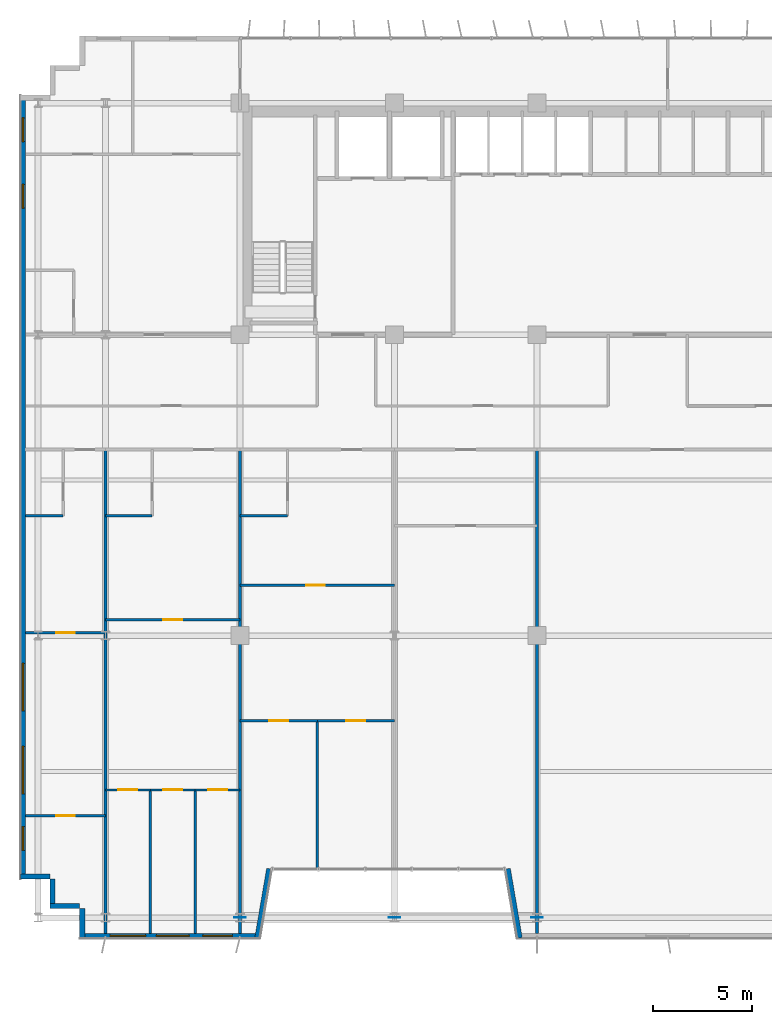
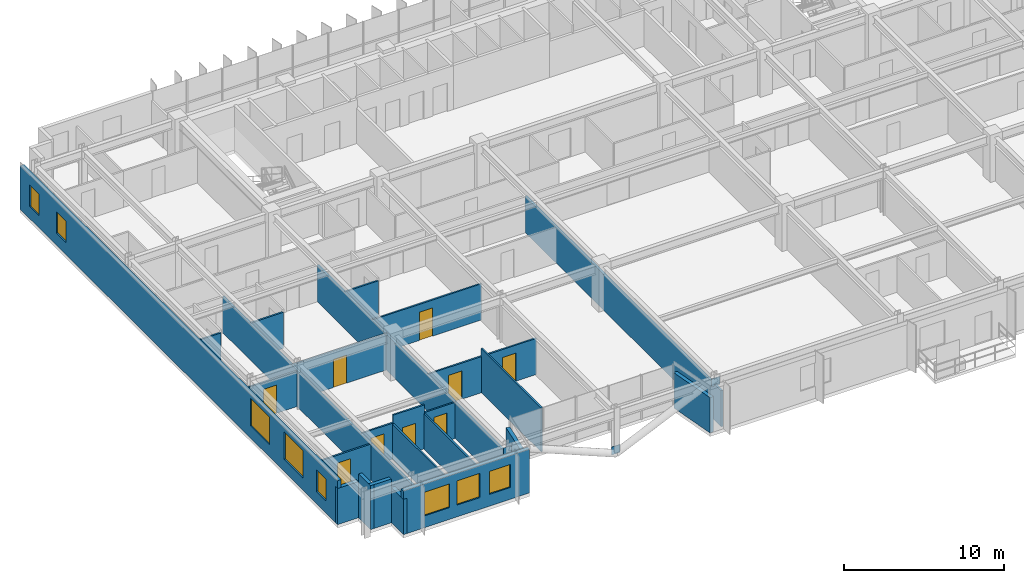
# One storey, part 18 of 25: 26 walls, 9 doors, 8 windows, 3 plates, 17 openings.
"""IFC4 building model written with IfcOpenShell, lengths in metres."""

from ifc_helpers import new_model, si_unit, direction, frame, frame_2d, origin, origin_2d, place, context, subcontext, project, spatial, rectangle, extrude, source, transform, mapped, material, layer, layer_set, type_object, element, fill, save


model = new_model("IFC4")

# Units and contexts
model_context = context("Model", 3, precision=1e-05, world=origin(), true_north=direction((0.0, 1.0)))
body_context = subcontext(model_context, "Body", "Model", "MODEL_VIEW")
ifc_project = project(units=[si_unit("LENGTHUNIT", "METRE"), si_unit("AREAUNIT", "SQUARE_METRE"), si_unit("VOLUMEUNIT", "CUBIC_METRE"), si_unit("PLANEANGLEUNIT", "RADIAN"), si_unit("MASSUNIT", "GRAM", prefix="KILO")], contexts=[model_context])

# Site, building, storey
site_placement = place(None, origin())
site = spatial("IfcSite", under=ifc_project, at=site_placement, CompositionType="ELEMENT")
building_placement = place(site_placement, origin())
building = spatial("IfcBuilding", under=site, at=building_placement, Name="Trelvane Seafront Commons", CompositionType="ELEMENT")
storey_placement = place(building_placement, frame((0.0, 0.0, 66.699951171875)))
storey = spatial("IfcBuildingStorey", under=building, at=storey_placement, Name="L17", CompositionType="ELEMENT", Elevation=66.699951171875)

# Plates
ifc_material_1 = material(Name="Steel SM355 (S355)", Category="steel")
ifc_layer_1 = layer(ifc_material_1, 0.031982421875, Name="STR-PLT-GUS2")
ifc_layer_set_1 = layer_set([ifc_layer_1], Name="Steel SM355 (S355)")
plate_type = type_object("IfcPlateType", Name="STR-PLT-GUS2", PredefinedType="SHEET", material=ifc_layer_set_1)
shared_shape_1 = source(origin(), body_context, "Body", "SweptSolid", [
    extrude(rectangle(XDim=0.60009765625, YDim=0.031982421875, at=origin_2d()), origin(), (0.0, 0.0, 1.0), 0.60009765625),
])
for number, where, z_axis, x_axis, name in (
    (1, (23.39990234375, 3.949951171875, -0.02001953125), (0.0, 0.0, 1.0), (1.0, 0.0, 0.0), "L17 Brace Connection Gusset Plate GP-165"),
    (2, (15.60009765625, 3.949951171875, 2.639892578125), (0.0, 0.0, 1.0), (1.0, 0.0, 0.0), "L17 Brace Connection Gusset Plate GP-166"),
    (3, (30.60009765625, 3.949951171875, 2.639892578125), (0.0, 0.0, 1.0), (1.0, 0.0, 0.0), "L17 Brace Connection Gusset Plate GP-167"),
):
    element("IfcPlate", number, at=place(storey_placement, frame(where, z_axis=z_axis, x_axis=x_axis)), inside=storey, type_object=plate_type, Name=name, PredefinedType="SHEET", context=body_context, shape_type="MappedRepresentation", body=[
        mapped(shared_shape_1, transform((0.0, 0.0, 0.0), x_axis=(1.0, 0.0, 0.0), y_axis=(0.0, 1.0, 0.0), z_axis=(0.0, 0.0, 1.0), scale=1.0)),
    ])

# Walls
ifc_material_2 = material(Name="Precast concrete C40/50", Category="concrete")
ifc_layer_2 = layer(ifc_material_2, 0.260009765625, Name="ARCH-WALL-EXT260")
ifc_layer_set_2 = layer_set([ifc_layer_2], Name="Precast concrete C40/50")
wall_type_1 = type_object("IfcWallType", Name="ARCH-WALL-EXT260", PredefinedType="SOLIDWALL", material=ifc_layer_set_2)
for number, where, z_axis, x_axis, name in (
    (4, (7.5, 4.530029296875, 0.0), (0.0, 0.0, 1.0), (-1.0, 0.0, 0.0), "EW-L17-00303"),
    (5, (6.1298828125, 4.39990234375, 0.0), (0.0, 0.0, 1.0), (0.0, 1.0, 0.0), "EW-L17-00304"),
):
    element("IfcWall", number, at=place(storey_placement, frame(where, z_axis=z_axis, x_axis=x_axis)), inside=storey, type_object=wall_type_1, Name=name, PredefinedType="SOLIDWALL", context=body_context, shape_type="SweptSolid", body=[
        extrude(rectangle(XDim=1.5, YDim=0.260009765625, at=frame_2d((0.75, 0.0))), origin(), (0.0, 0.0, 1.0), 3.340087890625),
    ])
wall_1_placement = place(storey_placement, frame((6.0, 6.030029296875, 0.0), z_axis=(0.0, 0.0, 1.0), x_axis=(-1.0, 0.0, 0.0)))
element("IfcWall", 6, at=wall_1_placement, inside=storey, type_object=wall_type_1, Name="EW-L17-00305", PredefinedType="SOLIDWALL", context=body_context, shape_type="SweptSolid", body=[
    extrude(rectangle(XDim=1.5, YDim=0.260009765625, at=frame_2d((0.75, 0.0))), origin(), (0.0, 0.0, 1.0), 2.751953125),
])

# Wall, openings, windows
wall_2_placement = place(storey_placement, frame((4.6298828125, 5.89990234375, 0.0), z_axis=(0.0, 0.0, 1.0), x_axis=(0.0, 1.0, 0.0)))
wall_2 = element("IfcWall", 7, at=wall_2_placement, inside=storey, type_object=wall_type_1, Name="EW-L17-00306", PredefinedType="SOLIDWALL", context=body_context, shape_type="SweptSolid", body=[
    extrude(rectangle(XDim=39.60009765625, YDim=0.260009765625, at=frame_2d((19.800048828125, 0.0))), origin(), (0.0, 0.0, 1.0), 3.340087890625),
])
opening_1_placement = place(wall_2_placement, frame((1.449951171875, 0.0, 0.919921875)))
opening_1 = element("IfcOpeningElement", 8, at=opening_1_placement, cuts=wall_2, Name="Opening W05", PredefinedType="OPENING", context=body_context, shape_type="SweptSolid", body=[
    extrude(rectangle(XDim=1.199951171875, YDim=1.64990234375, at=frame_2d((0.60009765625, 0.824951171875))), frame((0.0, 0.139892578125, 0.0), z_axis=(0.0, -1.0, 0.0), x_axis=(1.0, 0.0, 0.0)), (0.0, 0.0, 1.0), 0.280029296875),
])
opening_2_placement = place(wall_2_placement, frame((4.300048828125, 0.0, 0.919921875)))
opening_2 = element("IfcOpeningElement", 9, at=opening_2_placement, cuts=wall_2, Name="Opening W08", PredefinedType="OPENING", context=body_context, shape_type="SweptSolid", body=[
    extrude(rectangle(XDim=2.39990234375, YDim=2.10009765625, at=frame_2d((1.199951171875, 1.050048828125))), frame((0.0, 0.139892578125, 0.0), z_axis=(0.0, -1.0, 0.0), x_axis=(1.0, 0.0, 0.0)), (0.0, 0.0, 1.0), 0.280029296875),
])
opening_3_placement = place(wall_2_placement, frame((8.5, 0.0, 0.919921875)))
opening_3 = element("IfcOpeningElement", 10, at=opening_3_placement, cuts=wall_2, Name="Opening W08", PredefinedType="OPENING", context=body_context, shape_type="SweptSolid", body=[
    extrude(rectangle(XDim=2.39990234375, YDim=2.10009765625, at=frame_2d((1.199951171875, 1.050048828125))), frame((0.0, 0.139892578125, 0.0), z_axis=(0.0, -1.0, 0.0), x_axis=(1.0, 0.0, 0.0)), (0.0, 0.0, 1.0), 0.280029296875),
])
opening_4_placement = place(wall_2_placement, frame((33.89990234375, 0.0, 0.919921875)))
opening_4 = element("IfcOpeningElement", 11, at=opening_4_placement, cuts=wall_2, Name="Opening W05", PredefinedType="OPENING", context=body_context, shape_type="SweptSolid", body=[
    extrude(rectangle(XDim=1.199951171875, YDim=1.64990234375, at=frame_2d((0.60009765625, 0.824951171875))), frame((0.0, 0.139892578125, 0.0), z_axis=(0.0, -1.0, 0.0), x_axis=(1.0, 0.0, 0.0)), (0.0, 0.0, 1.0), 0.280029296875),
])
opening_5_placement = place(wall_2_placement, frame((37.25, 0.0, 0.919921875)))
opening_5 = element("IfcOpeningElement", 12, at=opening_5_placement, cuts=wall_2, Name="Opening W05", PredefinedType="OPENING", context=body_context, shape_type="SweptSolid", body=[
    extrude(rectangle(XDim=1.199951171875, YDim=1.64990234375, at=frame_2d((0.60009765625, 0.824951171875))), frame((0.0, 0.139892578125, 0.0), z_axis=(0.0, -1.0, 0.0), x_axis=(1.0, 0.0, 0.0)), (0.0, 0.0, 1.0), 0.280029296875),
])
ifc_material_3 = material(Name="Low-E coastal double glazing", Category="glass")
window_type_1 = type_object("IfcWindowType", Name="ARCH-WIN-W08", PartitioningType="SINGLE_PANEL", PredefinedType="WINDOW", material=ifc_material_3)
shared_shape_2 = source(origin(), body_context, "Body", "SweptSolid", [
    extrude(rectangle(XDim=2.39990234375, YDim=2.10009765625, at=frame_2d((1.199951171875, 1.050048828125))), frame((0.0, 0.030029296875, 0.0), z_axis=(0.0, -1.0, 0.0), x_axis=(1.0, 0.0, 0.0)), (0.0, 0.0, 1.0), 0.06005859375),
])
window_1_placement = place(opening_2_placement, origin())
window_1 = element("IfcWindow", 13, at=window_1_placement, inside=storey, type_object=window_type_1, Name="WIN-L17-EW-00359", OverallHeight=2.10009765625, OverallWidth=2.39990234375, PartitioningType="SINGLE_PANEL", PredefinedType="WINDOW", context=body_context, shape_type="MappedRepresentation", body=[
    mapped(shared_shape_2, transform((0.0, 0.0, 0.0), x_axis=(1.0, 0.0, 0.0), y_axis=(0.0, 1.0, 0.0), z_axis=(0.0, 0.0, 1.0), scale=1.0)),
])
fill(opening_2, window_1)
window_2_placement = place(opening_3_placement, origin())
window_2 = element("IfcWindow", 14, at=window_2_placement, inside=storey, type_object=window_type_1, Name="WIN-L17-EW-00360", OverallHeight=2.10009765625, OverallWidth=2.39990234375, PartitioningType="SINGLE_PANEL", PredefinedType="WINDOW", context=body_context, shape_type="MappedRepresentation", body=[
    mapped(shared_shape_2, transform((0.0, 0.0, 0.0), x_axis=(1.0, 0.0, 0.0), y_axis=(0.0, 1.0, 0.0), z_axis=(0.0, 0.0, 1.0), scale=1.0)),
])
fill(opening_3, window_2)
window_type_2 = type_object("IfcWindowType", Name="ARCH-WIN-W05", PartitioningType="SINGLE_PANEL", PredefinedType="WINDOW", material=ifc_material_3)
shared_shape_3 = source(origin(), body_context, "Body", "SweptSolid", [
    extrude(rectangle(XDim=1.199951171875, YDim=1.64990234375, at=frame_2d((0.60009765625, 0.824951171875))), frame((0.0, 0.030029296875, 0.0), z_axis=(0.0, -1.0, 0.0), x_axis=(1.0, 0.0, 0.0)), (0.0, 0.0, 1.0), 0.06005859375),
])
window_3_placement = place(opening_1_placement, origin())
window_3 = element("IfcWindow", 15, at=window_3_placement, inside=storey, type_object=window_type_2, Name="WIN-L17-EW-00358", OverallHeight=1.64990234375, OverallWidth=1.199951171875, PartitioningType="SINGLE_PANEL", PredefinedType="WINDOW", context=body_context, shape_type="MappedRepresentation", body=[
    mapped(shared_shape_3, transform((0.0, 0.0, 0.0), x_axis=(1.0, 0.0, 0.0), y_axis=(0.0, 1.0, 0.0), z_axis=(0.0, 0.0, 1.0), scale=1.0)),
])
fill(opening_1, window_3)
window_4_placement = place(opening_4_placement, origin())
window_4 = element("IfcWindow", 16, at=window_4_placement, inside=storey, type_object=window_type_2, Name="WIN-L17-EW-00361", OverallHeight=1.64990234375, OverallWidth=1.199951171875, PartitioningType="SINGLE_PANEL", PredefinedType="WINDOW", context=body_context, shape_type="MappedRepresentation", body=[
    mapped(shared_shape_3, transform((0.0, 0.0, 0.0), x_axis=(1.0, 0.0, 0.0), y_axis=(0.0, 1.0, 0.0), z_axis=(0.0, 0.0, 1.0), scale=1.0)),
])
fill(opening_4, window_4)
window_5_placement = place(opening_5_placement, origin())
window_5 = element("IfcWindow", 17, at=window_5_placement, inside=storey, type_object=window_type_2, Name="WIN-L17-EW-00362", OverallHeight=1.64990234375, OverallWidth=1.199951171875, PartitioningType="SINGLE_PANEL", PredefinedType="WINDOW", context=body_context, shape_type="MappedRepresentation", body=[
    mapped(shared_shape_3, transform((0.0, 0.0, 0.0), x_axis=(1.0, 0.0, 0.0), y_axis=(0.0, 1.0, 0.0), z_axis=(0.0, 0.0, 1.0), scale=1.0)),
])
fill(opening_5, window_5)

# Walls
for number, where, z_axis, x_axis, name in (
    (18, (29.72802734375, 2.922119140625, 0.0), (0.0, 0.0, 1.0), (-0.168923741424, 0.98562912375, 0.0), "EW-L17-00321"),
    (19, (17.072021484375, 6.422119140625, 0.0), (0.0, 0.0, 1.0), (-0.168990530437, -0.98561767467, 0.0), "EW-L17-00322"),
):
    element("IfcWall", number, at=place(storey_placement, frame(where, z_axis=z_axis, x_axis=x_axis)), inside=storey, type_object=wall_type_1, Name=name, PredefinedType="SOLIDWALL", context=body_context, shape_type="SweptSolid", body=[
        extrude(rectangle(XDim=3.551025390625, YDim=0.260009765625, at=frame_2d((1.775390625, 0.0))), origin(), (0.0, 0.0, 1.0), 2.68994140625),
    ])

# Wall, openings, windows
wall_3_placement = place(storey_placement, frame((16.60009765625, 3.030029296875, 0.0), z_axis=(0.0, 0.0, 1.0), x_axis=(-1.0, 0.0, 0.0)))
wall_3 = element("IfcWall", 20, at=wall_3_placement, inside=storey, type_object=wall_type_1, Name="EW-L17-00323", PredefinedType="SOLIDWALL", context=body_context, shape_type="SweptSolid", body=[
    extrude(rectangle(XDim=9.10009765625, YDim=0.260009765625, at=frame_2d((4.550048828125, 0.0))), origin(), (0.0, 0.0, 1.0), 3.340087890625),
])
opening_6_placement = place(wall_3_placement, frame((1.383056640625, 0.0, 0.89990234375)))
opening_6 = element("IfcOpeningElement", 21, at=opening_6_placement, cuts=wall_3, Name="Opening W03", PredefinedType="OPENING", context=body_context, shape_type="SweptSolid", body=[
    extrude(rectangle(XDim=1.5, YDim=1.75, at=frame_2d((0.75, 0.875))), frame((0.0, 0.139892578125, 0.0), z_axis=(0.0, -1.0, 0.0), x_axis=(1.0, 0.0, 0.0)), (0.0, 0.0, 1.0), 0.280029296875),
])
opening_7_placement = place(wall_3_placement, frame((3.574951171875, 0.0, 0.89990234375)))
opening_7 = element("IfcOpeningElement", 22, at=opening_7_placement, cuts=wall_3, Name="Opening W07", PredefinedType="OPENING", context=body_context, shape_type="SweptSolid", body=[
    extrude(rectangle(XDim=1.64990234375, YDim=1.85009765625, at=frame_2d((0.824951171875, 0.925048828125))), frame((0.0, 0.139892578125, 0.0), z_axis=(0.0, -1.0, 0.0), x_axis=(1.0, 0.0, 0.0)), (0.0, 0.0, 1.0), 0.280029296875),
])
opening_8_placement = place(wall_3_placement, frame((5.76611328125, 0.0, 0.89990234375)))
opening_8 = element("IfcOpeningElement", 23, at=opening_8_placement, cuts=wall_3, Name="Opening W01", PredefinedType="OPENING", context=body_context, shape_type="SweptSolid", body=[
    extrude(rectangle(XDim=1.800048828125, YDim=1.800048828125, at=frame_2d((0.89990234375, 0.89990234375))), frame((0.0, 0.139892578125, 0.0), z_axis=(0.0, -1.0, 0.0), x_axis=(1.0, 0.0, 0.0)), (0.0, 0.0, 1.0), 0.280029296875),
])
window_type_3 = type_object("IfcWindowType", Name="ARCH-WIN-W03", PartitioningType="SINGLE_PANEL", PredefinedType="WINDOW", material=ifc_material_3)
shared_shape_4 = source(origin(), body_context, "Body", "SweptSolid", [
    extrude(rectangle(XDim=1.5, YDim=1.75, at=frame_2d((0.75, 0.875))), frame((0.0, 0.030029296875, 0.0), z_axis=(0.0, -1.0, 0.0), x_axis=(1.0, 0.0, 0.0)), (0.0, 0.0, 1.0), 0.06005859375),
])
window_6_placement = place(opening_6_placement, origin())
window_6 = element("IfcWindow", 24, at=window_6_placement, inside=storey, type_object=window_type_3, Name="WIN-L17-00372", OverallHeight=1.75, OverallWidth=1.5, PartitioningType="SINGLE_PANEL", PredefinedType="WINDOW", context=body_context, shape_type="MappedRepresentation", body=[
    mapped(shared_shape_4, transform((0.0, 0.0, 0.0), x_axis=(1.0, 0.0, 0.0), y_axis=(0.0, 1.0, 0.0), z_axis=(0.0, 0.0, 1.0), scale=1.0)),
])
fill(opening_6, window_6)
window_type_4 = type_object("IfcWindowType", Name="ARCH-WIN-W01", PartitioningType="SINGLE_PANEL", PredefinedType="WINDOW", material=ifc_material_3)
shared_shape_5 = source(origin(), body_context, "Body", "SweptSolid", [
    extrude(rectangle(XDim=1.800048828125, YDim=1.800048828125, at=frame_2d((0.89990234375, 0.89990234375))), frame((0.0, 0.030029296875, 0.0), z_axis=(0.0, -1.0, 0.0), x_axis=(1.0, 0.0, 0.0)), (0.0, 0.0, 1.0), 0.06005859375),
])
window_7_placement = place(opening_8_placement, origin())
window_7 = element("IfcWindow", 25, at=window_7_placement, inside=storey, type_object=window_type_4, Name="WIN-L17-00374", OverallHeight=1.800048828125, OverallWidth=1.800048828125, PartitioningType="SINGLE_PANEL", PredefinedType="WINDOW", context=body_context, shape_type="MappedRepresentation", body=[
    mapped(shared_shape_5, transform((0.0, 0.0, 0.0), x_axis=(1.0, 0.0, 0.0), y_axis=(0.0, 1.0, 0.0), z_axis=(0.0, 0.0, 1.0), scale=1.0)),
])
fill(opening_8, window_7)
window_type_5 = type_object("IfcWindowType", Name="ARCH-WIN-W07", PartitioningType="SINGLE_PANEL", PredefinedType="WINDOW", material=ifc_material_3)
shared_shape_6 = source(origin(), body_context, "Body", "SweptSolid", [
    extrude(rectangle(XDim=1.64990234375, YDim=1.85009765625, at=frame_2d((0.824951171875, 0.925048828125))), frame((0.0, 0.030029296875, 0.0), z_axis=(0.0, -1.0, 0.0), x_axis=(1.0, 0.0, 0.0)), (0.0, 0.0, 1.0), 0.06005859375),
])
window_8_placement = place(opening_7_placement, origin())
window_8 = element("IfcWindow", 26, at=window_8_placement, inside=storey, type_object=window_type_5, Name="WIN-L17-00373", OverallHeight=1.85009765625, OverallWidth=1.64990234375, PartitioningType="SINGLE_PANEL", PredefinedType="WINDOW", context=body_context, shape_type="MappedRepresentation", body=[
    mapped(shared_shape_6, transform((0.0, 0.0, 0.0), x_axis=(1.0, 0.0, 0.0), y_axis=(0.0, 1.0, 0.0), z_axis=(0.0, 0.0, 1.0), scale=1.0)),
])
fill(opening_7, window_8)

# Wall
wall_4_placement = place(storey_placement, frame((7.6298828125, 2.89990234375, 0.0), z_axis=(0.0, 0.0, 1.0), x_axis=(0.0, 1.0, 0.0)))
element("IfcWall", 27, at=wall_4_placement, inside=storey, type_object=wall_type_1, Name="EW-L17-00324", PredefinedType="SOLIDWALL", context=body_context, shape_type="SweptSolid", body=[
    extrude(rectangle(XDim=1.5, YDim=0.260009765625, at=frame_2d((0.75, 0.0))), origin(), (0.0, 0.0, 1.0), 2.68994140625),
])

# Wall, opening, door
ifc_material_4 = material(Name="Gypsum Drywall Acoustic Partition")
ifc_layer_3 = layer(ifc_material_4, 0.1201171875, Name="ARCH-WALL-PART120")
ifc_layer_set_3 = layer_set([ifc_layer_3], Name="Gypsum Drywall Acoustic Partition")
wall_type_2 = type_object("IfcWallType", Name="ARCH-WALL-PART120", PredefinedType="PARTITIONING", material=ifc_layer_set_3)
wall_5_placement = place(storey_placement, frame((4.760009765625, 18.35009765625, 0.0), z_axis=(0.0, 0.0, 1.0), x_axis=(1.0, 0.0, 0.0)))
wall_5 = element("IfcWall", 28, at=wall_5_placement, inside=storey, type_object=wall_type_2, Name="W-L17-U1-KL-067", PredefinedType="PARTITIONING", context=body_context, shape_type="SweptSolid", body=[
    extrude(rectangle(XDim=4.0400390625, YDim=0.1201171875, at=frame_2d((2.02001953125, 0.0))), origin(), (0.0, 0.0, 1.0), 2.68994140625),
])
opening_9_placement = place(wall_5_placement, frame((1.544921875, 0.0, 0.0)))
opening_9 = element("IfcOpeningElement", 29, at=opening_9_placement, cuts=wall_5, Name="Opening D-L17-32", PredefinedType="OPENING", context=body_context, shape_type="SweptSolid", body=[
    extrude(rectangle(XDim=0.949951171875, YDim=2.14990234375, at=frame_2d((0.47509765625, 1.074951171875))), frame((0.0, 0.070068359375, 0.0), z_axis=(0.0, -1.0, 0.0), x_axis=(1.0, 0.0, 0.0)), (0.0, 0.0, 1.0), 0.14013671875),
])
ifc_material_5 = material(Name="Acoustic timber door leaf", Category="wood")
door_type = type_object("IfcDoorType", Name="ARCH-DR-INT950", OperationType="NOTDEFINED", PredefinedType="DOOR", material=ifc_material_5)
shared_shape_7 = source(origin(), body_context, "Body", "SweptSolid", [
    extrude(rectangle(XDim=0.949951171875, YDim=2.14990234375, at=frame_2d((0.47509765625, 1.074951171875))), frame((0.0, 0.02490234375, 0.0), z_axis=(0.0, -1.0, 0.0), x_axis=(1.0, 0.0, 0.0)), (0.0, 0.0, 1.0), 0.050048828125),
])
door_1_placement = place(opening_9_placement, origin())
door_1 = element("IfcDoor", 30, at=door_1_placement, inside=storey, type_object=door_type, Name="L17 Door 32", OperationType="SINGLE_SWING_RIGHT", OverallHeight=2.14990234375, OverallWidth=0.949951171875, PredefinedType="DOOR", context=body_context, shape_type="MappedRepresentation", body=[
    mapped(shared_shape_7, transform((0.0, 0.0, 0.0), x_axis=(1.0, 0.0, 0.0), y_axis=(0.0, 1.0, 0.0), z_axis=(0.0, 0.0, 1.0), scale=1.0)),
])
fill(opening_9, door_1)

# Wall
wall_6_placement = place(storey_placement, frame((4.760009765625, 24.25, 0.0), z_axis=(0.0, 0.0, 1.0), x_axis=(1.0, 0.0, 0.0)))
element("IfcWall", 31, at=wall_6_placement, inside=storey, type_object=wall_type_2, Name="W-L17-U1-BS-069", PredefinedType="PARTITIONING", context=body_context, shape_type="SweptSolid", body=[
    extrude(rectangle(XDim=1.89990234375, YDim=0.1201171875, at=frame_2d((0.949951171875, 0.0))), origin(), (0.0, 0.0, 1.0), 2.751953125),
])

# Wall, opening, door
wall_7_placement = place(storey_placement, frame((4.760009765625, 9.10009765625, 0.0), z_axis=(0.0, 0.0, 1.0), x_axis=(1.0, 0.0, 0.0)))
wall_7 = element("IfcWall", 32, at=wall_7_placement, inside=storey, type_object=wall_type_2, Name="W-L17-U1-YM-1-071", PredefinedType="PARTITIONING", context=body_context, shape_type="SweptSolid", body=[
    extrude(rectangle(XDim=4.0400390625, YDim=0.1201171875, at=frame_2d((2.02001953125, 0.0))), origin(), (0.0, 0.0, 1.0), 2.751953125),
])
opening_10_placement = place(wall_7_placement, frame((1.544921875, 0.0, 0.0)))
opening_10 = element("IfcOpeningElement", 33, at=opening_10_placement, cuts=wall_7, Name="Opening D-L17-35", PredefinedType="OPENING", context=body_context, shape_type="SweptSolid", body=[
    extrude(rectangle(XDim=0.949951171875, YDim=2.14990234375, at=frame_2d((0.47509765625, 1.074951171875))), frame((0.0, 0.070068359375, 0.0), z_axis=(0.0, -1.0, 0.0), x_axis=(1.0, 0.0, 0.0)), (0.0, 0.0, 1.0), 0.14013671875),
])
door_2_placement = place(opening_10_placement, origin())
door_2 = element("IfcDoor", 34, at=door_2_placement, inside=storey, type_object=door_type, Name="L17 Door 35", OperationType="SINGLE_SWING_LEFT", OverallHeight=2.14990234375, OverallWidth=0.949951171875, PredefinedType="DOOR", context=body_context, shape_type="MappedRepresentation", body=[
    mapped(shared_shape_7, transform((0.0, 0.0, 0.0), x_axis=(1.0, 0.0, 0.0), y_axis=(0.0, 1.0, 0.0), z_axis=(0.0, 0.0, 1.0), scale=1.0)),
])
fill(opening_10, door_2)

wall_8_placement = place(storey_placement, frame((8.800048828125, 19.0, 0.0), z_axis=(0.0, 0.0, 1.0), x_axis=(1.0, 0.0, 0.0)))
wall_8 = element("IfcWall", 35, at=wall_8_placement, inside=storey, type_object=wall_type_2, Name="W-L17-U2-KL-072", PredefinedType="PARTITIONING", context=body_context, shape_type="SweptSolid", body=[
    extrude(rectangle(XDim=6.800048828125, YDim=0.1201171875, at=frame_2d((3.39990234375, 0.0))), origin(), (0.0, 0.0, 1.0), 2.751953125),
])
opening_11_placement = place(wall_8_placement, frame((2.925048828125, 0.0, 0.0)))
opening_11 = element("IfcOpeningElement", 36, at=opening_11_placement, cuts=wall_8, Name="Opening D-L17-36", PredefinedType="OPENING", context=body_context, shape_type="SweptSolid", body=[
    extrude(rectangle(XDim=0.949951171875, YDim=2.14990234375, at=frame_2d((0.47509765625, 1.074951171875))), frame((0.0, 0.070068359375, 0.0), z_axis=(0.0, -1.0, 0.0), x_axis=(1.0, 0.0, 0.0)), (0.0, 0.0, 1.0), 0.14013671875),
])
door_3_placement = place(opening_11_placement, origin())
door_3 = element("IfcDoor", 37, at=door_3_placement, inside=storey, type_object=door_type, Name="L17 Door 36", OperationType="SINGLE_SWING_RIGHT", OverallHeight=2.14990234375, OverallWidth=0.949951171875, PredefinedType="DOOR", context=body_context, shape_type="MappedRepresentation", body=[
    mapped(shared_shape_7, transform((0.0, 0.0, 0.0), x_axis=(1.0, 0.0, 0.0), y_axis=(0.0, 1.0, 0.0), z_axis=(0.0, 0.0, 1.0), scale=1.0)),
])
fill(opening_11, door_3)

# Wall
wall_9_placement = place(storey_placement, frame((8.800048828125, 24.25, 0.0), z_axis=(0.0, 0.0, 1.0), x_axis=(1.0, 0.0, 0.0)))
element("IfcWall", 38, at=wall_9_placement, inside=storey, type_object=wall_type_2, Name="W-L17-U2-BS-074", PredefinedType="PARTITIONING", context=body_context, shape_type="SweptSolid", body=[
    extrude(rectangle(XDim=2.362060546875, YDim=0.1201171875, at=frame_2d((1.18115234375, 0.0))), origin(), (0.0, 0.0, 1.0), 2.751953125),
])

# Wall, opening, door
wall_10_placement = place(storey_placement, frame((8.800048828125, 10.39990234375, 0.0), z_axis=(0.0, 0.0, 1.0), x_axis=(1.0, 0.0, 0.0)))
wall_10 = element("IfcWall", 39, at=wall_10_placement, inside=storey, type_object=wall_type_2, Name="W-L17-U2-YM-1-076", PredefinedType="PARTITIONING", context=body_context, shape_type="SweptSolid", body=[
    extrude(rectangle(XDim=2.266845703125, YDim=0.1201171875, at=frame_2d((1.13330078125, 0.0))), origin(), (0.0, 0.0, 1.0), 2.751953125),
])
opening_12_placement = place(wall_10_placement, frame((0.657958984375, 0.0, 0.0)))
opening_12 = element("IfcOpeningElement", 40, at=opening_12_placement, cuts=wall_10, Name="Opening D-L17-39", PredefinedType="OPENING", context=body_context, shape_type="SweptSolid", body=[
    extrude(rectangle(XDim=0.949951171875, YDim=2.14990234375, at=frame_2d((0.47509765625, 1.074951171875))), frame((0.0, 0.070068359375, 0.0), z_axis=(0.0, -1.0, 0.0), x_axis=(1.0, 0.0, 0.0)), (0.0, 0.0, 1.0), 0.14013671875),
])
door_4_placement = place(opening_12_placement, origin())
door_4 = element("IfcDoor", 41, at=door_4_placement, inside=storey, type_object=door_type, Name="L17 Door 39", OperationType="SINGLE_SWING_LEFT", OverallHeight=2.14990234375, OverallWidth=0.949951171875, PredefinedType="DOOR", context=body_context, shape_type="MappedRepresentation", body=[
    mapped(shared_shape_7, transform((0.0, 0.0, 0.0), x_axis=(1.0, 0.0, 0.0), y_axis=(0.0, 1.0, 0.0), z_axis=(0.0, 0.0, 1.0), scale=1.0)),
])
fill(opening_12, door_4)

wall_11_placement = place(storey_placement, frame((11.06689453125, 10.39990234375, 0.0), z_axis=(0.0, 0.0, 1.0), x_axis=(1.0, 0.0, 0.0)))
wall_11 = element("IfcWall", 42, at=wall_11_placement, inside=storey, type_object=wall_type_2, Name="W-L17-U2-YM-2-077", PredefinedType="PARTITIONING", context=body_context, shape_type="SweptSolid", body=[
    extrude(rectangle(XDim=2.26611328125, YDim=0.1201171875, at=frame_2d((1.133056640625, 0.0))), origin(), (0.0, 0.0, 1.0), 3.340087890625),
])
opening_13_placement = place(wall_11_placement, frame((0.657958984375, 0.0, 0.0)))
opening_13 = element("IfcOpeningElement", 43, at=opening_13_placement, cuts=wall_11, Name="Opening D-L17-40", PredefinedType="OPENING", context=body_context, shape_type="SweptSolid", body=[
    extrude(rectangle(XDim=0.949951171875, YDim=2.14990234375, at=frame_2d((0.47509765625, 1.074951171875))), frame((0.0, 0.070068359375, 0.0), z_axis=(0.0, -1.0, 0.0), x_axis=(1.0, 0.0, 0.0)), (0.0, 0.0, 1.0), 0.14013671875),
])
door_5_placement = place(opening_13_placement, origin())
door_5 = element("IfcDoor", 44, at=door_5_placement, inside=storey, type_object=door_type, Name="L17 Door 40", OperationType="SINGLE_SWING_RIGHT", OverallHeight=2.14990234375, OverallWidth=0.949951171875, PredefinedType="DOOR", context=body_context, shape_type="MappedRepresentation", body=[
    mapped(shared_shape_7, transform((0.0, 0.0, 0.0), x_axis=(1.0, 0.0, 0.0), y_axis=(0.0, 1.0, 0.0), z_axis=(0.0, 0.0, 1.0), scale=1.0)),
])
fill(opening_13, door_5)

# Wall
wall_12_placement = place(storey_placement, frame((11.06689453125, 3.14501953125, 0.0), z_axis=(0.0, 0.0, 1.0), x_axis=(0.0, 1.0, 0.0)))
element("IfcWall", 45, at=wall_12_placement, inside=storey, type_object=wall_type_2, Name="W-L17-U2-BDV-1-078", PredefinedType="PARTITIONING", context=body_context, shape_type="SweptSolid", body=[
    extrude(rectangle(XDim=7.2548828125, YDim=0.1201171875, at=frame_2d((3.62744140625, 0.0))), origin(), (0.0, 0.0, 1.0), 2.68994140625),
])

# Wall, opening, door
wall_13_placement = place(storey_placement, frame((13.3330078125, 10.39990234375, 0.0), z_axis=(0.0, 0.0, 1.0), x_axis=(1.0, 0.0, 0.0)))
wall_13 = element("IfcWall", 46, at=wall_13_placement, inside=storey, type_object=wall_type_2, Name="W-L17-U2-YM-3-079", PredefinedType="PARTITIONING", context=body_context, shape_type="SweptSolid", body=[
    extrude(rectangle(XDim=2.26708984375, YDim=0.1201171875, at=frame_2d((1.133544921875, 0.0))), origin(), (0.0, 0.0, 1.0), 2.751953125),
])
opening_14_placement = place(wall_13_placement, frame((0.657958984375, 0.0, 0.0)))
opening_14 = element("IfcOpeningElement", 47, at=opening_14_placement, cuts=wall_13, Name="Opening D-L17-41", PredefinedType="OPENING", context=body_context, shape_type="SweptSolid", body=[
    extrude(rectangle(XDim=0.949951171875, YDim=2.14990234375, at=frame_2d((0.47509765625, 1.074951171875))), frame((0.0, 0.070068359375, 0.0), z_axis=(0.0, -1.0, 0.0), x_axis=(1.0, 0.0, 0.0)), (0.0, 0.0, 1.0), 0.14013671875),
])
door_6_placement = place(opening_14_placement, origin())
door_6 = element("IfcDoor", 48, at=door_6_placement, inside=storey, type_object=door_type, Name="L17 Door 41", OperationType="SINGLE_SWING_LEFT", OverallHeight=2.14990234375, OverallWidth=0.949951171875, PredefinedType="DOOR", context=body_context, shape_type="MappedRepresentation", body=[
    mapped(shared_shape_7, transform((0.0, 0.0, 0.0), x_axis=(1.0, 0.0, 0.0), y_axis=(0.0, 1.0, 0.0), z_axis=(0.0, 0.0, 1.0), scale=1.0)),
])
fill(opening_14, door_6)

# Wall
wall_14_placement = place(storey_placement, frame((13.3330078125, 3.14501953125, 0.0), z_axis=(0.0, 0.0, 1.0), x_axis=(0.0, 1.0, 0.0)))
element("IfcWall", 49, at=wall_14_placement, inside=storey, type_object=wall_type_2, Name="W-L17-U2-BDV-2-080", PredefinedType="PARTITIONING", context=body_context, shape_type="SweptSolid", body=[
    extrude(rectangle(XDim=7.2548828125, YDim=0.1201171875, at=frame_2d((3.62744140625, 0.0))), origin(), (0.0, 0.0, 1.0), 2.68994140625),
])

# Wall, opening, door
wall_15_placement = place(storey_placement, frame((15.60009765625, 20.75, 0.0), z_axis=(0.0, 0.0, 1.0), x_axis=(1.0, 0.0, 0.0)))
wall_15 = element("IfcWall", 50, at=wall_15_placement, inside=storey, type_object=wall_type_2, Name="W-L17-U3-KL-081", PredefinedType="PARTITIONING", context=body_context, shape_type="SweptSolid", body=[
    extrude(rectangle(XDim=7.7998046875, YDim=0.1201171875, at=frame_2d((3.89990234375, 0.0))), origin(), (0.0, 0.0, 1.0), 2.751953125),
])
opening_15_placement = place(wall_15_placement, frame((3.3330078125, 0.0, 0.0)))
opening_15 = element("IfcOpeningElement", 51, at=opening_15_placement, cuts=wall_15, Name="Opening D-L17-42", PredefinedType="OPENING", context=body_context, shape_type="SweptSolid", body=[
    extrude(rectangle(XDim=0.949951171875, YDim=2.14990234375, at=frame_2d((0.47509765625, 1.074951171875))), frame((0.0, 0.070068359375, 0.0), z_axis=(0.0, -1.0, 0.0), x_axis=(1.0, 0.0, 0.0)), (0.0, 0.0, 1.0), 0.14013671875),
])
door_7_placement = place(opening_15_placement, origin())
door_7 = element("IfcDoor", 52, at=door_7_placement, inside=storey, type_object=door_type, Name="L17 Door 42", OperationType="SINGLE_SWING_RIGHT", OverallHeight=2.14990234375, OverallWidth=0.949951171875, PredefinedType="DOOR", context=body_context, shape_type="MappedRepresentation", body=[
    mapped(shared_shape_7, transform((0.0, 0.0, 0.0), x_axis=(1.0, 0.0, 0.0), y_axis=(0.0, 1.0, 0.0), z_axis=(0.0, 0.0, 1.0), scale=1.0)),
])
fill(opening_15, door_7)

# Wall
wall_16_placement = place(storey_placement, frame((15.60009765625, 24.25, 0.0), z_axis=(0.0, 0.0, 1.0), x_axis=(1.0, 0.0, 0.0)))
element("IfcWall", 53, at=wall_16_placement, inside=storey, type_object=wall_type_2, Name="W-L17-U3-BS-083", PredefinedType="PARTITIONING", context=body_context, shape_type="SweptSolid", body=[
    extrude(rectangle(XDim=2.39990234375, YDim=0.1201171875, at=frame_2d((1.199951171875, 0.0))), origin(), (0.0, 0.0, 1.0), 2.751953125),
])

# Wall, opening, door
wall_17_placement = place(storey_placement, frame((15.60009765625, 13.89990234375, 0.0), z_axis=(0.0, 0.0, 1.0), x_axis=(1.0, 0.0, 0.0)))
wall_17 = element("IfcWall", 54, at=wall_17_placement, inside=storey, type_object=wall_type_2, Name="W-L17-U3-YM-1-085", PredefinedType="PARTITIONING", context=body_context, shape_type="SweptSolid", body=[
    extrude(rectangle(XDim=3.89990234375, YDim=0.1201171875, at=frame_2d((1.949951171875, 0.0))), origin(), (0.0, 0.0, 1.0), 2.751953125),
])
opening_16_placement = place(wall_17_placement, frame((1.47509765625, 0.0, 0.0)))
opening_16 = element("IfcOpeningElement", 55, at=opening_16_placement, cuts=wall_17, Name="Opening D-L17-45", PredefinedType="OPENING", context=body_context, shape_type="SweptSolid", body=[
    extrude(rectangle(XDim=0.949951171875, YDim=2.14990234375, at=frame_2d((0.47509765625, 1.074951171875))), frame((0.0, 0.070068359375, 0.0), z_axis=(0.0, -1.0, 0.0), x_axis=(1.0, 0.0, 0.0)), (0.0, 0.0, 1.0), 0.14013671875),
])
door_8_placement = place(opening_16_placement, origin())
door_8 = element("IfcDoor", 56, at=door_8_placement, inside=storey, type_object=door_type, Name="L17 Door 45", OperationType="SINGLE_SWING_LEFT", OverallHeight=2.14990234375, OverallWidth=0.949951171875, PredefinedType="DOOR", context=body_context, shape_type="MappedRepresentation", body=[
    mapped(shared_shape_7, transform((0.0, 0.0, 0.0), x_axis=(1.0, 0.0, 0.0), y_axis=(0.0, 1.0, 0.0), z_axis=(0.0, 0.0, 1.0), scale=1.0)),
])
fill(opening_16, door_8)

wall_18_placement = place(storey_placement, frame((19.5, 13.89990234375, 0.0), z_axis=(0.0, 0.0, 1.0), x_axis=(1.0, 0.0, 0.0)))
wall_18 = element("IfcWall", 57, at=wall_18_placement, inside=storey, type_object=wall_type_2, Name="W-L17-U3-YM-2-086", PredefinedType="PARTITIONING", context=body_context, shape_type="SweptSolid", body=[
    extrude(rectangle(XDim=3.89990234375, YDim=0.1201171875, at=frame_2d((1.949951171875, 0.0))), origin(), (0.0, 0.0, 1.0), 2.751953125),
])
opening_17_placement = place(wall_18_placement, frame((1.47509765625, 0.0, 0.0)))
opening_17 = element("IfcOpeningElement", 58, at=opening_17_placement, cuts=wall_18, Name="Opening D-L17-46", PredefinedType="OPENING", context=body_context, shape_type="SweptSolid", body=[
    extrude(rectangle(XDim=0.949951171875, YDim=2.14990234375, at=frame_2d((0.47509765625, 1.074951171875))), frame((0.0, 0.070068359375, 0.0), z_axis=(0.0, -1.0, 0.0), x_axis=(1.0, 0.0, 0.0)), (0.0, 0.0, 1.0), 0.14013671875),
])
door_9_placement = place(opening_17_placement, origin())
door_9 = element("IfcDoor", 59, at=door_9_placement, inside=storey, type_object=door_type, Name="L17 Door 46", OperationType="SINGLE_SWING_RIGHT", OverallHeight=2.14990234375, OverallWidth=0.949951171875, PredefinedType="DOOR", context=body_context, shape_type="MappedRepresentation", body=[
    mapped(shared_shape_7, transform((0.0, 0.0, 0.0), x_axis=(1.0, 0.0, 0.0), y_axis=(0.0, 1.0, 0.0), z_axis=(0.0, 0.0, 1.0), scale=1.0)),
])
fill(opening_17, door_9)

# Walls
wall_19_placement = place(storey_placement, frame((19.5, 6.409912109375, 0.0), z_axis=(0.0, 0.0, 1.0), x_axis=(0.0, 1.0, 0.0)))
element("IfcWall", 60, at=wall_19_placement, inside=storey, type_object=wall_type_2, Name="W-L17-U3-BDV-1-087", PredefinedType="PARTITIONING", context=body_context, shape_type="SweptSolid", body=[
    extrude(rectangle(XDim=7.489990234375, YDim=0.1201171875, at=frame_2d((3.7451171875, 0.0))), origin(), (0.0, 0.0, 1.0), 3.340087890625),
])
ifc_layer_4 = layer(ifc_material_4, 0.14990234375, Name="ARCH-WALL-PART150")
ifc_layer_set_4 = layer_set([ifc_layer_4], Name="Gypsum Drywall Acoustic Partition")
wall_type_3 = type_object("IfcWallType", Name="ARCH-WALL-PART150", PredefinedType="PARTITIONING", material=ifc_layer_set_4)
for number, where, z_axis, x_axis, name in (
    (61, (8.800048828125, 3.14501953125, 0.0), (0.0, 0.0, 1.0), (0.0, 1.0, 0.0), "W-L17-PW-1-060"),
    (62, (15.60009765625, 3.14501953125, 0.0), (0.0, 0.0, 1.0), (0.0, 1.0, 0.0), "W-L17-PW-2-061"),
    (63, (30.60009765625, 3.14501953125, 0.0), (0.0, 0.0, 1.0), (0.0, 1.0, 0.0), "W-L17-PW-4-063"),
):
    element("IfcWall", number, at=place(storey_placement, frame(where, z_axis=z_axis, x_axis=x_axis)), inside=storey, type_object=wall_type_3, Name=name, PredefinedType="PARTITIONING", context=body_context, shape_type="SweptSolid", body=[
        extrude(rectangle(XDim=24.455078125, YDim=0.14990234375, at=frame_2d((12.2275390625, 0.0))), origin(), (0.0, 0.0, 1.0), 2.751953125),
    ])

save(model, "model.ifc")
